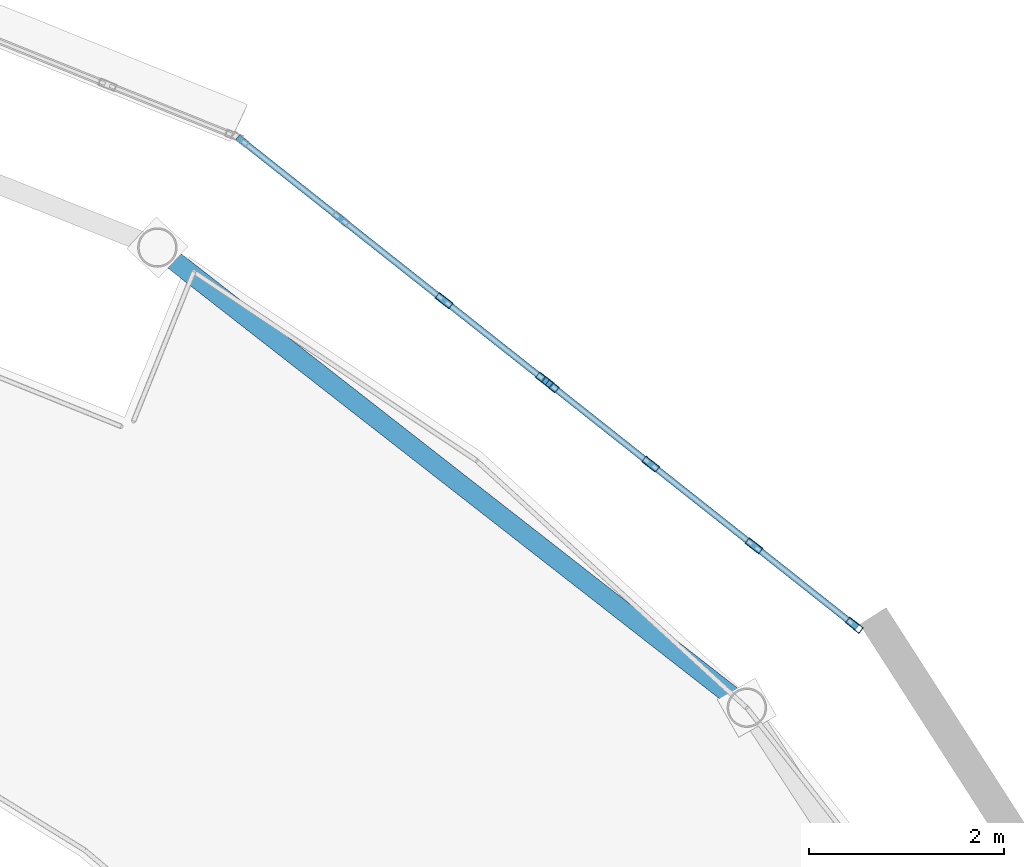
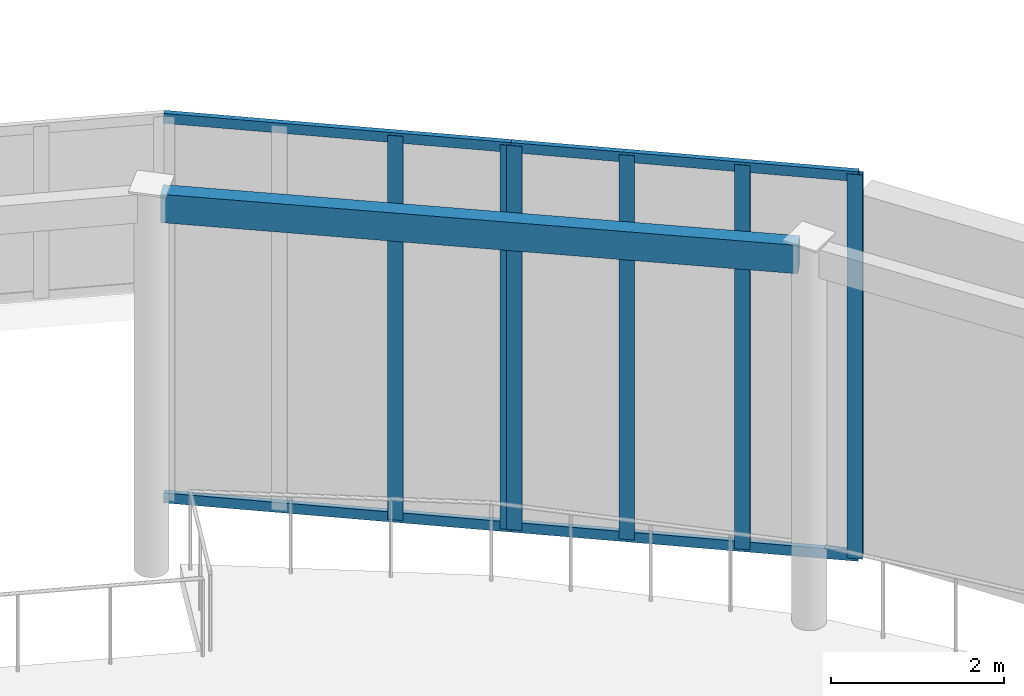
# One storey, part 49 of 98: 10 members, 1 beam, 2 elements without a shape of their own.
"""IFC4 building model written with IfcOpenShell, lengths in metres."""

from ifc_helpers import new_model, si_unit, direction, frame, origin, origin_2d, place, context, subcontext, project, spatial, hollow_rectangle, extrude, material, layer, layer_set, material_profile, profile_set, type_object, element, aggregate, save


model = new_model("IFC4")

# Units and contexts
model_context = context("Model", 3, precision=1e-05, world=origin(), true_north=direction((0.0, 1.0)))
body_context = subcontext(model_context, "Body", "Model", "MODEL_VIEW")
ifc_project = project(units=[si_unit("LENGTHUNIT", "METRE"), si_unit("AREAUNIT", "SQUARE_METRE"), si_unit("VOLUMEUNIT", "CUBIC_METRE"), si_unit("PLANEANGLEUNIT", "RADIAN"), si_unit("MASSUNIT", "GRAM", prefix="KILO")], contexts=[model_context])

# Site, building, storey
site_placement = place(None, origin())
site = spatial("IfcSite", under=ifc_project, at=site_placement, CompositionType="ELEMENT")
building_placement = place(site_placement, origin())
building = spatial("IfcBuilding", under=site, at=building_placement, Name="Sollismere Congress Hotel", CompositionType="ELEMENT")
storey_placement = place(building_placement, frame((0.0, 0.0, 5.39990234375)))
storey = spatial("IfcBuildingStorey", under=building, at=storey_placement, Name="L01", CompositionType="ELEMENT", Elevation=5.39990234375)

# Beam
ifc_material_1 = material(Name="Steel ASTM A500 Grade C", Category="steel")
ifc_material_profile_1 = material_profile(ifc_material_1, hollow_rectangle(XDim=0.199951171875, YDim=0.39990234375, WallThickness=0.011962890625, at=origin_2d()), Name="HSS400X200X12")
ifc_profile_set_1 = profile_set([ifc_material_profile_1], Name="Steel ASTM A500 Grade C")
beam_type = type_object("IfcBeamType", Name="BM-BX400", PredefinedType="HOLLOWCORE", material=ifc_profile_set_1)
beam_placement = place(storey_placement, frame((51.031982421875, 103.02294921875, 5.150146484375), z_axis=(-0.788263734949, 0.615337536775, 0.0), x_axis=(-0.615337536775, -0.788263734949, 0.0)))
element("IfcBeam", 1, at=beam_placement, inside=storey, type_object=beam_type, Name="Beam BM-L01-4188", PredefinedType="HOLLOWCORE", context=body_context, shape_type="SweptSolid", body=[
    extrude(hollow_rectangle(XDim=0.199951171875, YDim=0.39990234375, WallThickness=0.011962890625, at=origin_2d()), origin(), (0.0, 0.0, 1.0), 7.43603515625),
])

# Curtain wall, members
ifc_material_2 = material(Name="Anodized Bronze Curtain Wall & Low-E Triple Glazing", Category="glass")
ifc_layer = layer(ifc_material_2, 0.199951171875, Name="Anodized Bronze Curtain Wall & Low-E Triple Glazing")
ifc_layer_set = layer_set([ifc_layer], Name="Anodized Bronze Curtain Wall & Low-E Triple Glazing")
curtain_wall_type = type_object("IfcCurtainWallType", Name="CW-GLZ36", PredefinedType="USERDEFINED", material=ifc_layer_set)
curtain_wall_1_placement = place(storey_placement, origin())
curtain_wall_1 = element("IfcCurtainWall", 2, at=curtain_wall_1_placement, inside=storey, type_object=curtain_wall_type, Name="Unitised curtain wall CW-L01-003", ObjectType="UNITISED CURTAIN WALL", PredefinedType="USERDEFINED")
ifc_material_3 = material(Name="Anodized Aluminum 6063-T6", Category="aluminium")
ifc_material_profile_2 = material_profile(ifc_material_3, hollow_rectangle(XDim=0.074951171875, YDim=0.179931640625, WallThickness=0.0048828125, at=origin_2d()), Name="ALU180X75X5")
ifc_profile_set_2 = profile_set([ifc_material_profile_2], Name="Anodized Aluminum 6063-T6")
member_type_1 = type_object("IfcMemberType", Name="ML-CW180", PredefinedType="MULLION", material=ifc_profile_set_2)
member_1_placement = place(storey_placement, frame((52.2294921875, 103.795654296875, 0.0), z_axis=(0.0, 0.0, 1.0), x_axis=(-0.620532077362, -0.784181063891, 0.0)))
member_1 = element("IfcMember", 3, at=member_1_placement, type_object=member_type_1, Name="CWL-CW-L01-003-ML01", PredefinedType="MULLION", context=body_context, shape_type="SweptSolid", body=[
    extrude(hollow_rectangle(XDim=0.074951171875, YDim=0.179931640625, WallThickness=0.0048828125, at=origin_2d()), origin(), (0.0, 0.0, 1.0), 5.420166015625),
])
member_2_placement = place(storey_placement, frame((51.19921875, 104.61083984375, 0.0), z_axis=(0.0, 0.0, 1.0), x_axis=(-0.620532077362, -0.784181063891, 0.0)))
member_2 = element("IfcMember", 4, at=member_2_placement, type_object=member_type_1, Name="CWL-CW-L01-003-ML02", PredefinedType="MULLION", context=body_context, shape_type="SweptSolid", body=[
    extrude(hollow_rectangle(XDim=0.074951171875, YDim=0.179931640625, WallThickness=0.0048828125, at=origin_2d()), origin(), (0.0, 0.0, 1.0), 5.420166015625),
])
member_3_placement = place(storey_placement, frame((50.13916015625, 105.44970703125, 0.0), z_axis=(0.0, 0.0, 1.0), x_axis=(-0.620532077362, -0.784181063891, 0.0)))
member_3 = element("IfcMember", 5, at=member_3_placement, type_object=member_type_1, Name="CWL-CW-L01-003-ML03", PredefinedType="MULLION", context=body_context, shape_type="SweptSolid", body=[
    extrude(hollow_rectangle(XDim=0.074951171875, YDim=0.179931640625, WallThickness=0.0048828125, at=origin_2d()), origin(), (0.0, 0.0, 1.0), 5.420166015625),
])
member_4_placement = place(storey_placement, frame((49.10888671875, 106.264892578125, 0.0), z_axis=(0.0, 0.0, 1.0), x_axis=(-0.620532077362, -0.784181063891, 0.0)))
member_4 = element("IfcMember", 6, at=member_4_placement, type_object=member_type_1, Name="CWL-CW-L01-003-ML04", PredefinedType="MULLION", context=body_context, shape_type="SweptSolid", body=[
    extrude(hollow_rectangle(XDim=0.074951171875, YDim=0.179931640625, WallThickness=0.0048828125, at=origin_2d()), origin(), (0.0, 0.0, 1.0), 5.420166015625),
])

curtain_wall_2_placement = place(storey_placement, origin())
curtain_wall_2 = element("IfcCurtainWall", 7, at=curtain_wall_2_placement, inside=storey, type_object=curtain_wall_type, Name="Unitised curtain wall CW-L01-004", ObjectType="UNITISED CURTAIN WALL", PredefinedType="USERDEFINED")
member_5_placement = place(storey_placement, frame((49.04931640625, 106.312255859375, 0.0), z_axis=(0.0, 0.0, 1.0), x_axis=(-0.620532077362, -0.784181063891, 0.0)))
member_5 = element("IfcMember", 8, at=member_5_placement, type_object=member_type_1, Name="CWL-CW-L01-004-ML01", PredefinedType="MULLION", context=body_context, shape_type="SweptSolid", body=[
    extrude(hollow_rectangle(XDim=0.074951171875, YDim=0.179931640625, WallThickness=0.0048828125, at=origin_2d()), origin(), (0.0, 0.0, 1.0), 5.420166015625),
])
member_6_placement = place(storey_placement, frame((48.018798828125, 107.12744140625, 0.0), z_axis=(0.0, 0.0, 1.0), x_axis=(-0.620532077362, -0.784181063891, 0.0)))
member_6 = element("IfcMember", 9, at=member_6_placement, type_object=member_type_1, Name="CWL-CW-L01-004-ML02", PredefinedType="MULLION", context=body_context, shape_type="SweptSolid", body=[
    extrude(hollow_rectangle(XDim=0.074951171875, YDim=0.179931640625, WallThickness=0.0048828125, at=origin_2d()), origin(), (0.0, 0.0, 1.0), 5.420166015625),
])

# Member
ifc_material_profile_3 = material_profile(ifc_material_3, hollow_rectangle(XDim=0.06494140625, YDim=0.139892578125, WallThickness=0.00390625, at=origin_2d()), Name="ALU140X65X4")
ifc_profile_set_3 = profile_set([ifc_material_profile_3], Name="Anodized Aluminum 6063-T6")
member_type_2 = type_object("IfcMemberType", Name="TR-CW150", PredefinedType="MEMBER", material=ifc_profile_set_3)
member_7_placement = place(storey_placement, frame((52.25927734375, 103.772216796875, 0.03271484375), z_axis=(-0.78419961589, 0.620508632042, 0.0), x_axis=(-0.620508632042, -0.78419961589, 0.0)))
member_7 = element("IfcMember", 10, at=member_7_placement, type_object=member_type_2, Name="CWL-CW-L01-003-TR1", PredefinedType="MEMBER", context=body_context, shape_type="SweptSolid", body=[
    extrude(hollow_rectangle(XDim=0.06494140625, YDim=0.139892578125, WallThickness=0.00390625, at=origin_2d()), origin(), (0.0, 0.0, 1.0), 4.055419921875),
])

member_8_placement = place(storey_placement, frame((52.25927734375, 103.772216796875, 5.3876953125), z_axis=(-0.78419961589, 0.620508632042, 0.0), x_axis=(-0.620508632042, -0.78419961589, 0.0)))
member_8 = element("IfcMember", 11, at=member_8_placement, type_object=member_type_2, Name="CWL-CW-L01-003-TR2", PredefinedType="MEMBER", context=body_context, shape_type="SweptSolid", body=[
    extrude(hollow_rectangle(XDim=0.06494140625, YDim=0.139892578125, WallThickness=0.00390625, at=origin_2d()), origin(), (0.0, 0.0, 1.0), 4.055419921875),
])

aggregate(curtain_wall_1, [member_1, member_2, member_3, member_4, member_7, member_8])

member_9_placement = place(storey_placement, frame((49.0791015625, 106.28857421875, 0.03271484375), z_axis=(-0.784193501486, 0.620516359355, 0.0), x_axis=(-0.620516359355, -0.784193501486, 0.0)))
member_9 = element("IfcMember", 12, at=member_9_placement, type_object=member_type_2, Name="CWL-CW-L01-004-TR1", PredefinedType="MEMBER", context=body_context, shape_type="SweptSolid", body=[
    extrude(hollow_rectangle(XDim=0.06494140625, YDim=0.139892578125, WallThickness=0.00390625, at=origin_2d()), origin(), (0.0, 0.0, 1.0), 4.0556640625),
])

member_10_placement = place(storey_placement, frame((49.0791015625, 106.28857421875, 5.3876953125), z_axis=(-0.784193501486, 0.620516359355, 0.0), x_axis=(-0.620516359355, -0.784193501486, 0.0)))
member_10 = element("IfcMember", 13, at=member_10_placement, type_object=member_type_2, Name="CWL-CW-L01-004-TR2", PredefinedType="MEMBER", context=body_context, shape_type="SweptSolid", body=[
    extrude(hollow_rectangle(XDim=0.06494140625, YDim=0.139892578125, WallThickness=0.00390625, at=origin_2d()), origin(), (0.0, 0.0, 1.0), 4.0556640625),
])

aggregate(curtain_wall_2, [member_5, member_6, member_9, member_10])

save(model, "model.ifc")
